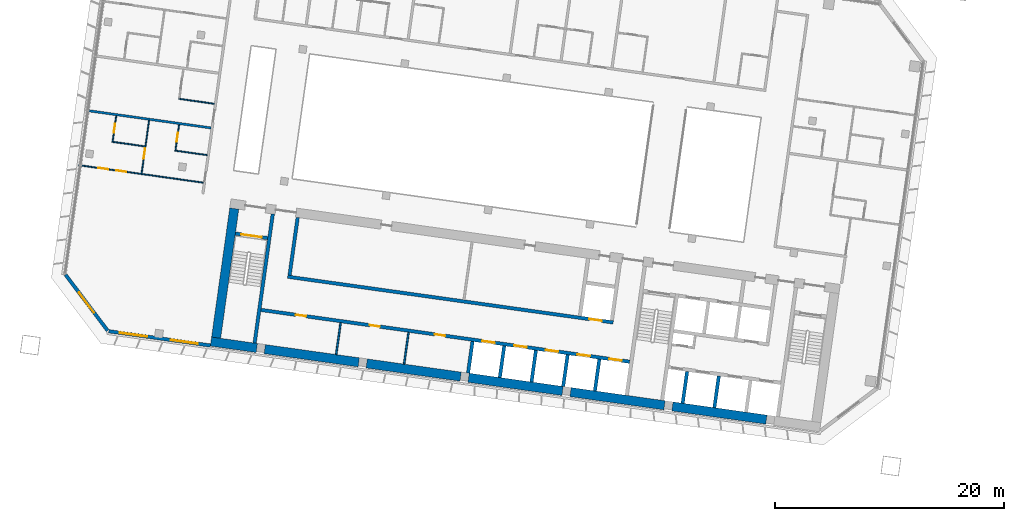
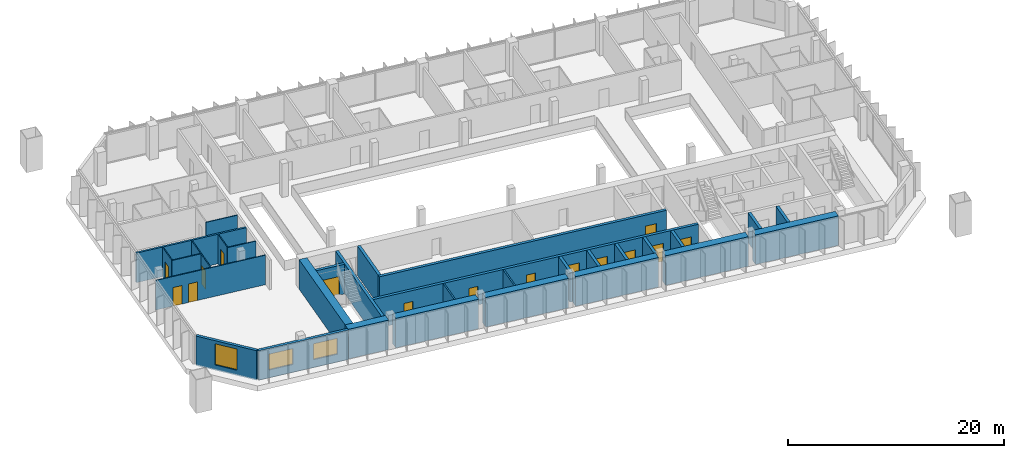
# One storey, part 14 of 26: 31 walls, 15 doors, 3 windows, 18 openings.
"""IFC4 building model written with IfcOpenShell, lengths in metres."""

from ifc_helpers import new_model, si_unit, direction, frame, frame_2d, origin, place, context, subcontext, project, spatial, rectangle, extrude, material, layer, layer_set, type_object, element, fill, save


model = new_model("IFC4")

# Units and contexts
model_context = context("Model", 3, precision=1e-05, world=origin(), true_north=direction((0.0, 1.0)))
body_context = subcontext(model_context, "Body", "Model", "MODEL_VIEW")
ifc_project = project(units=[si_unit("LENGTHUNIT", "METRE"), si_unit("AREAUNIT", "SQUARE_METRE"), si_unit("VOLUMEUNIT", "CUBIC_METRE"), si_unit("PLANEANGLEUNIT", "RADIAN"), si_unit("MASSUNIT", "GRAM", prefix="KILO")], contexts=[model_context])

# Site, building, storey
site_placement = place(None, origin())
site = spatial("IfcSite", under=ifc_project, at=site_placement, CompositionType="ELEMENT")
building_placement = place(site_placement, origin())
building = spatial("IfcBuilding", under=site, at=building_placement, Name="Mirante Cascada Hotel Towers", CompositionType="ELEMENT")
storey_placement = place(building_placement, frame((0.0, 0.0, 113.9)))
storey = spatial("IfcBuildingStorey", under=building, at=storey_placement, Name="L25", CompositionType="ELEMENT", Elevation=113.9)

# Walls
ifc_material_1 = material(Name="Fire-rated plasterboard on metal studs")
ifc_layer_1 = layer(ifc_material_1, 0.2)
ifc_layer_set_1 = layer_set([ifc_layer_1], Name="Compartment wall 200 EI 120")
wall_type_1 = type_object("IfcWallType", Name="Compartment wall 200 EI 120", PredefinedType="PARTITIONING", material=ifc_layer_set_1)
wall_1_placement = place(storey_placement, frame((-90.4064, 6.4896, 0.0), z_axis=(0.0, 0.0, 1.0), x_axis=(-0.990268, 0.1391733, 0.0)))
element("IfcWall", 1, at=wall_1_placement, inside=storey, type_object=wall_type_1, Name="Wall 1-L25-06", PredefinedType="PARTITIONING", context=body_context, shape_type="SweptSolid", body=[
    extrude(rectangle(XDim=11.0, YDim=0.2, at=frame_2d((5.5, 0.0))), origin(), (0.0, 0.0, 1.0), 3.35),
])
ifc_material_2 = material(Name="Masonry block", Category="masonry")
ifc_layer_2 = layer(ifc_material_2, 0.15)
ifc_layer_set_2 = layer_set([ifc_layer_2], Name="Core room partition 150 block EI 30")
wall_type_2 = type_object("IfcWallType", Name="Core room partition 150 block EI 30", PredefinedType="PARTITIONING", material=ifc_layer_set_2)
wall_2_placement = place(storey_placement, frame((-73.5161, -14.1621, 0.0), z_axis=(0.0, 0.0, 1.0), x_axis=(0.139176, 0.9902677, 0.0)))
element("IfcWall", 2, at=wall_2_placement, inside=storey, type_object=wall_type_2, Name="Core wall partition T1 L25 4", PredefinedType="PARTITIONING", context=body_context, shape_type="SweptSolid", body=[
    extrude(rectangle(XDim=2.8001, YDim=0.15, at=frame_2d((1.4, 0.0))), origin(), (0.0, 0.0, 1.0), 3.35),
])
wall_3_placement = place(storey_placement, frame((-79.4577, -13.327, 0.0), z_axis=(0.0, 0.0, 1.0), x_axis=(0.1391459, 0.9902719, 0.0)))
element("IfcWall", 3, at=wall_3_placement, inside=storey, type_object=wall_type_2, Name="Core wall partition T1 L25 5", PredefinedType="PARTITIONING", context=body_context, shape_type="SweptSolid", body=[
    extrude(rectangle(XDim=2.7999, YDim=0.15, at=frame_2d((1.4, 0.0))), origin(), (0.0, 0.0, 1.0), 3.35),
])

# Wall, openings, doors
ifc_material_3 = material(Name="Plasterboard on metal studs")
ifc_layer_3 = layer(ifc_material_3, 0.1)
ifc_layer_set_3 = layer_set([ifc_layer_3], Name="Partition 100")
wall_type_3 = type_object("IfcWallType", Name="Partition 100", PredefinedType="PARTITIONING", material=ifc_layer_set_3)
wall_4_placement = place(storey_placement, frame((-101.972, 3.2342, 0.0), z_axis=(0.0, 0.0, 1.0), x_axis=(0.9902682, -0.1391721, 0.0)))
wall_4 = element("IfcWall", 4, at=wall_4_placement, inside=storey, type_object=wall_type_3, Name="Wall 1-L25-01", PredefinedType="PARTITIONING", context=body_context, shape_type="SweptSolid", body=[
    extrude(rectangle(XDim=11.0001, YDim=0.1, at=frame_2d((5.5, 0.0))), origin(), (0.0, 0.0, 1.0), 3.35),
])
opening_1_placement = place(wall_4_placement, frame((3.3, 0.0, 0.0)))
opening_1 = element("IfcOpeningElement", 5, at=opening_1_placement, cuts=wall_4, Name="Opening D1-L25-01", PredefinedType="OPENING", context=body_context, shape_type="SweptSolid", body=[
    extrude(rectangle(XDim=0.9, YDim=2.1, at=frame_2d((0.45, 1.05))), frame((0.0, 0.05, 0.0), z_axis=(0.0, -1.0, 0.0), x_axis=(1.0, 0.0, 0.0)), (0.0, 0.0, 1.0), 0.1),
])
opening_2_placement = place(wall_4_placement, frame((1.725, 0.0, 0.0)))
opening_2 = element("IfcOpeningElement", 6, at=opening_2_placement, cuts=wall_4, Name="Opening D1-L25-02", PredefinedType="OPENING", context=body_context, shape_type="SweptSolid", body=[
    extrude(rectangle(XDim=0.9, YDim=2.1, at=frame_2d((0.45, 1.05))), frame((0.0, 0.05, 0.0), z_axis=(0.0, -1.0, 0.0), x_axis=(1.0, 0.0, 0.0)), (0.0, 0.0, 1.0), 0.1),
])
ifc_material_4 = material(Name="Timber door leaf", Category="wood")
door_type_1 = type_object("IfcDoorType", Name="Room door DG3 900x2100", OperationType="SINGLE_SWING_LEFT", PredefinedType="DOOR", material=ifc_material_4)
door_1_placement = place(opening_1_placement, frame((0.9, 0.0, 0.0), z_axis=(0.0, 0.0, 1.0), x_axis=(-1.0, 0.0, 0.0)))
door_1 = element("IfcDoor", 7, at=door_1_placement, inside=storey, type_object=door_type_1, Name="Door D1-L25-01", OperationType="SINGLE_SWING_RIGHT", OverallHeight=2.1, OverallWidth=0.9, PredefinedType="DOOR", context=body_context, shape_type="SweptSolid", body=[
    extrude(rectangle(XDim=0.9, YDim=2.1, at=frame_2d((0.45, 1.05))), frame((0.0, 0.025, 0.0), z_axis=(0.0, -1.0, 0.0), x_axis=(1.0, 0.0, 0.0)), (0.0, 0.0, 1.0), 0.05),
])
fill(opening_1, door_1)
door_2_placement = place(opening_2_placement, frame((0.9, 0.0, 0.0), z_axis=(0.0, 0.0, 1.0), x_axis=(-1.0, 0.0, 0.0)))
door_2 = element("IfcDoor", 8, at=door_2_placement, inside=storey, type_object=door_type_1, Name="Door D1-L25-02", OperationType="SINGLE_SWING_RIGHT", OverallHeight=2.1, OverallWidth=0.9, PredefinedType="DOOR", context=body_context, shape_type="SweptSolid", body=[
    extrude(rectangle(XDim=0.9, YDim=2.1, at=frame_2d((0.45, 1.05))), frame((0.0, 0.025, 0.0), z_axis=(0.0, -1.0, 0.0), x_axis=(1.0, 0.0, 0.0)), (0.0, 0.0, 1.0), 0.05),
])
fill(opening_2, door_2)

# Walls
wall_5_placement = place(storey_placement, frame((-93.5626, 4.5096, 0.0), z_axis=(0.0, 0.0, 1.0), x_axis=(0.9902649, -0.1391957, 0.0)))
element("IfcWall", 9, at=wall_5_placement, inside=storey, type_object=wall_type_3, Name="Wall 1-L25-03", PredefinedType="PARTITIONING", context=body_context, shape_type="SweptSolid", body=[
    extrude(rectangle(XDim=2.8499, YDim=0.1, at=frame_2d((1.425, 0.0))), origin(), (0.0, 0.0, 1.0), 3.35),
])
wall_6_placement = place(storey_placement, frame((-96.1868, 4.8784, 0.0), z_axis=(0.0, 0.0, 1.0), x_axis=(-0.9902683, 0.1391714, 0.0)))
element("IfcWall", 10, at=wall_6_placement, inside=storey, type_object=wall_type_3, Name="Wall 1-L25-04", PredefinedType="PARTITIONING", context=body_context, shape_type="SweptSolid", body=[
    extrude(rectangle(XDim=2.9, YDim=0.1, at=frame_2d((1.45, 0.0))), origin(), (0.0, 0.0, 1.0), 3.35),
])
wall_7_placement = place(storey_placement, frame((-90.1095, 8.6021, 0.0), z_axis=(0.0, 0.0, 1.0), x_axis=(-0.9902676, 0.1391765, 0.0)))
element("IfcWall", 11, at=wall_7_placement, inside=storey, type_object=wall_type_3, Name="Wall 1-L25-08", PredefinedType="PARTITIONING", context=body_context, shape_type="SweptSolid", body=[
    extrude(rectangle(XDim=3.15, YDim=0.1, at=frame_2d((1.575, 0.0))), origin(), (0.0, 0.0, 1.0), 3.35),
])

# Wall, opening, door
wall_8_placement = place(storey_placement, frame((-93.5062, 4.5521, 0.0), z_axis=(0.0, 0.0, 1.0), x_axis=(0.1391997, 0.9902643, 0.0)))
wall_8 = element("IfcWall", 12, at=wall_8_placement, inside=storey, type_object=wall_type_3, Name="Wall 1-L25-52", PredefinedType="PARTITIONING", context=body_context, shape_type="SweptSolid", body=[
    extrude(rectangle(XDim=2.25, YDim=0.1, at=frame_2d((1.125, 0.0))), origin(), (0.0, 0.0, 1.0), 3.35),
])
opening_3_placement = place(wall_8_placement, frame((0.75, 0.0, 0.0)))
opening_3 = element("IfcOpeningElement", 13, at=opening_3_placement, cuts=wall_8, Name="Opening D1-L25-33", PredefinedType="OPENING", context=body_context, shape_type="SweptSolid", body=[
    extrude(rectangle(XDim=0.8, YDim=2.1, at=frame_2d((0.4, 1.05))), frame((0.0, 0.05, 0.0), z_axis=(0.0, -1.0, 0.0), x_axis=(1.0, 0.0, 0.0)), (0.0, 0.0, 1.0), 0.1),
])
ifc_material_5 = material(Name="Timber door leaf", Category="wood")
door_type_2 = type_object("IfcDoorType", Name="Bathroom door DG4 800x2100", OperationType="SINGLE_SWING_LEFT", PredefinedType="DOOR", material=ifc_material_5)
door_3_placement = place(opening_3_placement, frame((0.8, 0.0, 0.0), z_axis=(0.0, 0.0, 1.0), x_axis=(-1.0, 0.0, 0.0)))
door_3 = element("IfcDoor", 14, at=door_3_placement, inside=storey, type_object=door_type_2, Name="Door D1-L25-33", OperationType="SINGLE_SWING_RIGHT", OverallHeight=2.1, OverallWidth=0.8, PredefinedType="DOOR", context=body_context, shape_type="SweptSolid", body=[
    extrude(rectangle(XDim=0.8, YDim=2.1, at=frame_2d((0.4, 1.05))), frame((0.0, 0.025, 0.0), z_axis=(0.0, -1.0, 0.0), x_axis=(1.0, 0.0, 0.0)), (0.0, 0.0, 1.0), 0.05),
])
fill(opening_3, door_3)

wall_9_placement = place(storey_placement, frame((-95.8172, 7.149, 0.0), z_axis=(0.0, 0.0, 1.0), x_axis=(-0.139176, -0.9902677, 0.0)))
wall_9 = element("IfcWall", 15, at=wall_9_placement, inside=storey, type_object=wall_type_3, Name="Wall 1-L25-55", PredefinedType="PARTITIONING", context=body_context, shape_type="SweptSolid", body=[
    extrude(rectangle(XDim=4.6833, YDim=0.1, at=frame_2d((2.3416, 0.0))), origin(), (0.0, 0.0, 1.0), 3.35),
])
opening_4_placement = place(wall_9_placement, frame((2.4833, 0.0, 0.0)))
opening_4 = element("IfcOpeningElement", 16, at=opening_4_placement, cuts=wall_9, Name="Opening D1-L25-36", PredefinedType="OPENING", context=body_context, shape_type="SweptSolid", body=[
    extrude(rectangle(XDim=0.9, YDim=2.1, at=frame_2d((0.45, 1.05))), frame((0.0, 0.05, 0.0), z_axis=(0.0, -1.0, 0.0), x_axis=(1.0, 0.0, 0.0)), (0.0, 0.0, 1.0), 0.1),
])
door_4_placement = place(opening_4_placement, origin())
door_4 = element("IfcDoor", 17, at=door_4_placement, inside=storey, type_object=door_type_1, Name="Door D1-L25-36", OperationType="SINGLE_SWING_LEFT", OverallHeight=2.1, OverallWidth=0.9, PredefinedType="DOOR", context=body_context, shape_type="SweptSolid", body=[
    extrude(rectangle(XDim=0.9, YDim=2.1, at=frame_2d((0.45, 1.05))), frame((0.0, 0.025, 0.0), z_axis=(0.0, -1.0, 0.0), x_axis=(1.0, 0.0, 0.0)), (0.0, 0.0, 1.0), 0.05),
])
fill(opening_4, door_4)

wall_10_placement = place(storey_placement, frame((-98.689, 7.5526, 0.0), z_axis=(0.0, 0.0, 1.0), x_axis=(-0.1391561, -0.9902705, 0.0)))
wall_10 = element("IfcWall", 18, at=wall_10_placement, inside=storey, type_object=wall_type_3, Name="Wall 1-L25-57", PredefinedType="PARTITIONING", context=body_context, shape_type="SweptSolid", body=[
    extrude(rectangle(XDim=2.25, YDim=0.1, at=frame_2d((1.125, 0.0))), origin(), (0.0, 0.0, 1.0), 3.35),
])
opening_5_placement = place(wall_10_placement, frame((0.7, 0.0, 0.0)))
opening_5 = element("IfcOpeningElement", 19, at=opening_5_placement, cuts=wall_10, Name="Opening D1-L25-37", PredefinedType="OPENING", context=body_context, shape_type="SweptSolid", body=[
    extrude(rectangle(XDim=0.8, YDim=2.1, at=frame_2d((0.4, 1.05))), frame((0.0, 0.05, 0.0), z_axis=(0.0, -1.0, 0.0), x_axis=(1.0, 0.0, 0.0)), (0.0, 0.0, 1.0), 0.1),
])
door_5_placement = place(opening_5_placement, origin())
door_5 = element("IfcDoor", 20, at=door_5_placement, inside=storey, type_object=door_type_2, Name="Door D1-L25-37", OperationType="SINGLE_SWING_LEFT", OverallHeight=2.1, OverallWidth=0.8, PredefinedType="DOOR", context=body_context, shape_type="SweptSolid", body=[
    extrude(rectangle(XDim=0.8, YDim=2.1, at=frame_2d((0.4, 1.05))), frame((0.0, 0.025, 0.0), z_axis=(0.0, -1.0, 0.0), x_axis=(1.0, 0.0, 0.0)), (0.0, 0.0, 1.0), 0.05),
])
fill(opening_5, door_5)

# Wall, openings, windows
ifc_material_6 = material(Name="Precast concrete C40/50", Category="concrete")
ifc_layer_4 = layer(ifc_material_6, 0.3)
ifc_layer_set_4 = layer_set([ifc_layer_4], Name="Precast concrete C40/50 cladding wall 300")
wall_type_4 = type_object("IfcWallType", Name="Precast concrete C40/50 cladding wall 300", PredefinedType="STANDARD", material=ifc_layer_set_4)
wall_11_placement = place(storey_placement, frame((-90.4551, -12.5388, 0.0), z_axis=(0.0, 0.0, 1.0), x_axis=(-0.9902678, 0.1391749, 0.0)))
wall_11 = element("IfcWall", 21, at=wall_11_placement, inside=storey, type_object=wall_type_4, Name="Rear cladding wall T1 L25 1", PredefinedType="STANDARD", context=body_context, shape_type="SweptSolid", body=[
    extrude(rectangle(XDim=8.9758, YDim=0.3, at=frame_2d((4.4879, 0.0))), origin(), (0.0, 0.0, 1.0), 3.35),
])
opening_6_placement = place(wall_11_placement, frame((1.1012, 0.0, 0.9)))
opening_6 = element("IfcOpeningElement", 22, at=opening_6_placement, cuts=wall_11, Name="Opening W1-25-01", PredefinedType="OPENING", context=body_context, shape_type="SweptSolid", body=[
    extrude(rectangle(XDim=2.4, YDim=1.8, at=frame_2d((1.2, 0.9))), frame((0.0, 0.15, 0.0), z_axis=(0.0, -1.0, 0.0), x_axis=(1.0, 0.0, 0.0)), (0.0, 0.0, 1.0), 0.3),
])
opening_7_placement = place(wall_11_placement, frame((5.5923, 0.0, 0.9)))
opening_7 = element("IfcOpeningElement", 23, at=opening_7_placement, cuts=wall_11, Name="Opening W1-25-02", PredefinedType="OPENING", context=body_context, shape_type="SweptSolid", body=[
    extrude(rectangle(XDim=2.4, YDim=1.8, at=frame_2d((1.2, 0.9))), frame((0.0, 0.15, 0.0), z_axis=(0.0, -1.0, 0.0), x_axis=(1.0, 0.0, 0.0)), (0.0, 0.0, 1.0), 0.3),
])
ifc_material_7 = material(Name="Aluminium frame with clear double glazing", Category="aluminium")
window_type_1 = type_object("IfcWindowType", Name="Punched window 2400x1800", PartitioningType="DOUBLE_PANEL_VERTICAL", PredefinedType="WINDOW", material=ifc_material_7)
window_1_placement = place(opening_6_placement, origin())
window_1 = element("IfcWindow", 24, at=window_1_placement, inside=storey, type_object=window_type_1, Name="Window W1-25-01", OverallHeight=1.8, OverallWidth=2.4, PartitioningType="SINGLE_PANEL", PredefinedType="WINDOW", context=body_context, shape_type="SweptSolid", body=[
    extrude(rectangle(XDim=2.4, YDim=1.8, at=frame_2d((1.2, 0.9))), frame((0.0, 0.03, 0.0), z_axis=(0.0, -1.0, 0.0), x_axis=(1.0, 0.0, 0.0)), (0.0, 0.0, 1.0), 0.06),
])
fill(opening_6, window_1)
window_2_placement = place(opening_7_placement, origin())
window_2 = element("IfcWindow", 25, at=window_2_placement, inside=storey, type_object=window_type_1, Name="Window W1-25-02", OverallHeight=1.8, OverallWidth=2.4, PartitioningType="SINGLE_PANEL", PredefinedType="WINDOW", context=body_context, shape_type="SweptSolid", body=[
    extrude(rectangle(XDim=2.4, YDim=1.8, at=frame_2d((1.2, 0.9))), frame((0.0, 0.03, 0.0), z_axis=(0.0, -1.0, 0.0), x_axis=(1.0, 0.0, 0.0)), (0.0, 0.0, 1.0), 0.06),
])
fill(opening_7, window_2)

# Wall, opening, window
wall_12_placement = place(storey_placement, frame((-99.4424, -11.2313, 0.0), z_axis=(0.0, 0.0, 1.0), x_axis=(-0.6018194, 0.7986322, 0.0)))
wall_12 = element("IfcWall", 26, at=wall_12_placement, inside=storey, type_object=wall_type_4, Name="Corner cladding wall T1 L25 rear outer", PredefinedType="STANDARD", context=body_context, shape_type="SweptSolid", body=[
    extrude(rectangle(XDim=6.1155, YDim=0.3, at=frame_2d((3.0578, 0.0))), origin(), (0.0, 0.0, 1.0), 3.35),
])
opening_8_placement = place(wall_12_placement, frame((1.9576, 0.0, 0.6)))
opening_8 = element("IfcOpeningElement", 27, at=opening_8_placement, cuts=wall_12, Name="Opening W1-25-03", PredefinedType="OPENING", context=body_context, shape_type="SweptSolid", body=[
    extrude(rectangle(XDim=2.2, YDim=2.4, at=frame_2d((1.1, 1.2))), frame((0.0, 0.15, 0.0), z_axis=(0.0, -1.0, 0.0), x_axis=(1.0, 0.0, 0.0)), (0.0, 0.0, 1.0), 0.3),
])
ifc_material_8 = material(Name="Aluminium frame with clear double glazing", Category="aluminium")
window_type_2 = type_object("IfcWindowType", Name="Corner suite window 2200x2400", PartitioningType="DOUBLE_PANEL_VERTICAL", PredefinedType="WINDOW", material=ifc_material_8)
window_3_placement = place(opening_8_placement, origin())
window_3 = element("IfcWindow", 28, at=window_3_placement, inside=storey, type_object=window_type_2, Name="Window W1-25-03", OverallHeight=2.4, OverallWidth=2.2, PartitioningType="SINGLE_PANEL", PredefinedType="WINDOW", context=body_context, shape_type="SweptSolid", body=[
    extrude(rectangle(XDim=2.2, YDim=2.4, at=frame_2d((1.1, 1.2))), frame((0.0, 0.03, 0.0), z_axis=(0.0, -1.0, 0.0), x_axis=(1.0, 0.0, 0.0)), (0.0, 0.0, 1.0), 0.06),
])
fill(opening_8, window_3)

# Wall
ifc_material_9 = material(Name="Concrete C50/60", Category="concrete")
ifc_layer_5 = layer(ifc_material_9, 0.3)
ifc_layer_set_5 = layer_set([ifc_layer_5], Name="RC core wall 300 C50/60")
wall_type_5 = type_object("IfcWallType", Name="RC core wall 300 C50/60", PredefinedType="SHEAR", material=ifc_layer_set_5)
wall_13_placement = place(storey_placement, frame((-86.5877, -12.325, 0.0), z_axis=(0.0, 0.0, 1.0), x_axis=(0.1391749, 0.9902678, 0.0)))
element("IfcWall", 29, at=wall_13_placement, inside=storey, type_object=wall_type_5, Name="Core wall T1:L25:8", PredefinedType="SHEAR", context=body_context, shape_type="SweptSolid", body=[
    extrude(rectangle(XDim=11.4, YDim=0.3, at=frame_2d((5.7, 0.0))), origin(), (0.0, 0.0, 1.0), 3.35),
])

# Wall, opening, door
wall_14_placement = place(storey_placement, frame((-85.4489, -3.1441, 0.0), z_axis=(0.0, 0.0, 1.0), x_axis=(-0.9902697, 0.1391613, 0.0)))
wall_14 = element("IfcWall", 30, at=wall_14_placement, inside=storey, type_object=wall_type_5, Name="Core wall T1:L25:11", PredefinedType="SHEAR", context=body_context, shape_type="SweptSolid", body=[
    extrude(rectangle(XDim=2.8499, YDim=0.3, at=frame_2d((1.425, 0.0))), origin(), (0.0, 0.0, 1.0), 3.35),
])
opening_9_placement = place(wall_14_placement, frame((0.525, 0.0, 0.0)))
opening_9 = element("IfcOpeningElement", 31, at=opening_9_placement, cuts=wall_14, Name="Opening D1-25-C17", PredefinedType="OPENING", context=body_context, shape_type="SweptSolid", body=[
    extrude(rectangle(XDim=1.8, YDim=2.1, at=frame_2d((0.9, 1.05))), frame((0.0, 0.15, 0.0), z_axis=(0.0, -1.0, 0.0), x_axis=(1.0, 0.0, 0.0)), (0.0, 0.0, 1.0), 0.3),
])
ifc_material_10 = material(Name="Hollow metal fire door leaf")
door_type_3 = type_object("IfcDoorType", Name="Double fire door 1800x2100 FD60", OperationType="DOUBLE_DOOR_SINGLE_SWING", PredefinedType="DOOR", material=ifc_material_10)
door_6_placement = place(opening_9_placement, origin())
door_6 = element("IfcDoor", 32, at=door_6_placement, inside=storey, type_object=door_type_3, Name="Stair door T1 L25 17", OperationType="DOUBLE_DOOR_SINGLE_SWING", OverallHeight=2.1, OverallWidth=1.8, PredefinedType="DOOR", context=body_context, shape_type="SweptSolid", body=[
    extrude(rectangle(XDim=0.895, YDim=2.1, at=frame_2d((0.4475, 1.05))), frame((0.0, 0.025, 0.0), z_axis=(0.0, -1.0, 0.0), x_axis=(1.0, 0.0, 0.0)), (0.0, 0.0, 1.0), 0.05),
    extrude(rectangle(XDim=0.895, YDim=2.1, at=frame_2d((1.3525, 1.05))), frame((0.0, 0.025, 0.0), z_axis=(0.0, -1.0, 0.0), x_axis=(1.0, 0.0, 0.0)), (0.0, 0.0, 1.0), 0.05),
])
fill(opening_9, door_6)

# Walls
wall_15_placement = place(storey_placement, frame((-46.3828, -17.9754, 0.0), z_axis=(0.0, 0.0, 1.0), x_axis=(0.139181, 0.990267, 0.0)))
element("IfcWall", 33, at=wall_15_placement, inside=storey, type_object=wall_type_5, Name="Core wall T1:L25:16", PredefinedType="SHEAR", context=body_context, shape_type="SweptSolid", body=[
    extrude(rectangle(XDim=2.8, YDim=0.3, at=frame_2d((1.4, 0.0))), origin(), (0.0, 0.0, 1.0), 3.35),
])
wall_16_placement = place(storey_placement, frame((-49.1555, -17.5857, 0.0), z_axis=(0.0, 0.0, 1.0), x_axis=(0.1391459, 0.9902719, 0.0)))
element("IfcWall", 34, at=wall_16_placement, inside=storey, type_object=wall_type_5, Name="Core wall T1:L25:17", PredefinedType="SHEAR", context=body_context, shape_type="SweptSolid", body=[
    extrude(rectangle(XDim=2.7999, YDim=0.3, at=frame_2d((1.4, 0.0))), origin(), (0.0, 0.0, 1.0), 3.35),
])

# Wall, openings, doors
wall_17_placement = place(storey_placement, frame((-53.7953, -13.9547, 0.0), z_axis=(0.0, 0.0, 1.0), x_axis=(-0.990268, 0.1391733, 0.0)))
wall_17 = element("IfcWall", 35, at=wall_17_placement, inside=storey, type_object=wall_type_5, Name="Core wall T1:L25:24", PredefinedType="SHEAR", context=body_context, shape_type="SweptSolid", body=[
    extrude(rectangle(XDim=32.5501, YDim=0.3, at=frame_2d((16.275, 0.0))), origin(), (0.0, 0.0, 1.0), 3.35),
])
opening_10_placement = place(wall_17_placement, frame((0.7, 0.0, 0.0)))
opening_10 = element("IfcOpeningElement", 36, at=opening_10_placement, cuts=wall_17, Name="Opening LD", PredefinedType="OPENING", context=body_context, shape_type="SweptSolid", body=[
    extrude(rectangle(XDim=1.1, YDim=2.1, at=frame_2d((0.55, 1.05))), frame((0.0, 0.15, 0.0), z_axis=(0.0, -1.0, 0.0), x_axis=(1.0, 0.0, 0.0)), (0.0, 0.0, 1.0), 0.3),
])
opening_11_placement = place(wall_17_placement, frame((3.5, 0.0, 0.0)))
opening_11 = element("IfcOpeningElement", 37, at=opening_11_placement, cuts=wall_17, Name="Opening LD", PredefinedType="OPENING", context=body_context, shape_type="SweptSolid", body=[
    extrude(rectangle(XDim=1.1, YDim=2.1, at=frame_2d((0.55, 1.05))), frame((0.0, 0.15, 0.0), z_axis=(0.0, -1.0, 0.0), x_axis=(1.0, 0.0, 0.0)), (0.0, 0.0, 1.0), 0.3),
])
opening_12_placement = place(wall_17_placement, frame((6.3, 0.0, 0.0)))
opening_12 = element("IfcOpeningElement", 38, at=opening_12_placement, cuts=wall_17, Name="Opening LD", PredefinedType="OPENING", context=body_context, shape_type="SweptSolid", body=[
    extrude(rectangle(XDim=1.1, YDim=2.1, at=frame_2d((0.55, 1.05))), frame((0.0, 0.15, 0.0), z_axis=(0.0, -1.0, 0.0), x_axis=(1.0, 0.0, 0.0)), (0.0, 0.0, 1.0), 0.3),
])
opening_13_placement = place(wall_17_placement, frame((9.1, 0.0, 0.0)))
opening_13 = element("IfcOpeningElement", 39, at=opening_13_placement, cuts=wall_17, Name="Opening LD", PredefinedType="OPENING", context=body_context, shape_type="SweptSolid", body=[
    extrude(rectangle(XDim=1.1, YDim=2.1, at=frame_2d((0.55, 1.05))), frame((0.0, 0.15, 0.0), z_axis=(0.0, -1.0, 0.0), x_axis=(1.0, 0.0, 0.0)), (0.0, 0.0, 1.0), 0.3),
])
opening_14_placement = place(wall_17_placement, frame((11.9, 0.0, 0.0)))
opening_14 = element("IfcOpeningElement", 40, at=opening_14_placement, cuts=wall_17, Name="Opening LD", PredefinedType="OPENING", context=body_context, shape_type="SweptSolid", body=[
    extrude(rectangle(XDim=1.1, YDim=2.1, at=frame_2d((0.55, 1.05))), frame((0.0, 0.15, 0.0), z_axis=(0.0, -1.0, 0.0), x_axis=(1.0, 0.0, 0.0)), (0.0, 0.0, 1.0), 0.3),
])
opening_15_placement = place(wall_17_placement, frame((16.3, 0.0, 0.0)))
opening_15 = element("IfcOpeningElement", 41, at=opening_15_placement, cuts=wall_17, Name="Opening D1-25-C25", PredefinedType="OPENING", context=body_context, shape_type="SweptSolid", body=[
    extrude(rectangle(XDim=0.9, YDim=2.1, at=frame_2d((0.45, 1.05))), frame((0.0, 0.15, 0.0), z_axis=(0.0, -1.0, 0.0), x_axis=(1.0, 0.0, 0.0)), (0.0, 0.0, 1.0), 0.3),
])
opening_16_placement = place(wall_17_placement, frame((22.05, 0.0, 0.0)))
opening_16 = element("IfcOpeningElement", 42, at=opening_16_placement, cuts=wall_17, Name="Opening D1-25-C26", PredefinedType="OPENING", context=body_context, shape_type="SweptSolid", body=[
    extrude(rectangle(XDim=0.9, YDim=2.1, at=frame_2d((0.45, 1.05))), frame((0.0, 0.15, 0.0), z_axis=(0.0, -1.0, 0.0), x_axis=(1.0, 0.0, 0.0)), (0.0, 0.0, 1.0), 0.3),
])
opening_17_placement = place(wall_17_placement, frame((28.575, 0.0, 0.0)))
opening_17 = element("IfcOpeningElement", 43, at=opening_17_placement, cuts=wall_17, Name="Opening D1-25-C27", PredefinedType="OPENING", context=body_context, shape_type="SweptSolid", body=[
    extrude(rectangle(XDim=0.9, YDim=2.1, at=frame_2d((0.45, 1.05))), frame((0.0, 0.15, 0.0), z_axis=(0.0, -1.0, 0.0), x_axis=(1.0, 0.0, 0.0)), (0.0, 0.0, 1.0), 0.3),
])
ifc_material_11 = material(Name="Hollow metal fire door leaf")
door_type_4 = type_object("IfcDoorType", Name="Fire door 900x2100 FD60", OperationType="NOTDEFINED", PredefinedType="DOOR", material=ifc_material_11)
door_7_placement = place(opening_15_placement, origin())
door_7 = element("IfcDoor", 44, at=door_7_placement, inside=storey, type_object=door_type_4, Name="Room door T1 L25 25", OperationType="SINGLE_SWING_LEFT", OverallHeight=2.1, OverallWidth=0.9, PredefinedType="DOOR", context=body_context, shape_type="SweptSolid", body=[
    extrude(rectangle(XDim=0.9, YDim=2.1, at=frame_2d((0.45, 1.05))), frame((0.0, 0.025, 0.0), z_axis=(0.0, -1.0, 0.0), x_axis=(1.0, 0.0, 0.0)), (0.0, 0.0, 1.0), 0.05),
])
fill(opening_15, door_7)
door_8_placement = place(opening_16_placement, origin())
door_8 = element("IfcDoor", 45, at=door_8_placement, inside=storey, type_object=door_type_4, Name="Room door T1 L25 26", OperationType="SINGLE_SWING_LEFT", OverallHeight=2.1, OverallWidth=0.9, PredefinedType="DOOR", context=body_context, shape_type="SweptSolid", body=[
    extrude(rectangle(XDim=0.9, YDim=2.1, at=frame_2d((0.45, 1.05))), frame((0.0, 0.025, 0.0), z_axis=(0.0, -1.0, 0.0), x_axis=(1.0, 0.0, 0.0)), (0.0, 0.0, 1.0), 0.05),
])
fill(opening_16, door_8)
door_9_placement = place(opening_17_placement, origin())
door_9 = element("IfcDoor", 46, at=door_9_placement, inside=storey, type_object=door_type_4, Name="Room door T1 L25 27", OperationType="SINGLE_SWING_LEFT", OverallHeight=2.1, OverallWidth=0.9, PredefinedType="DOOR", context=body_context, shape_type="SweptSolid", body=[
    extrude(rectangle(XDim=0.9, YDim=2.1, at=frame_2d((0.45, 1.05))), frame((0.0, 0.025, 0.0), z_axis=(0.0, -1.0, 0.0), x_axis=(1.0, 0.0, 0.0)), (0.0, 0.0, 1.0), 0.05),
])
fill(opening_17, door_9)
ifc_material_12 = material(Name="Stainless steel", Category="steel")
door_type_5 = type_object("IfcDoorType", Name="Lift landing door 1100x2100 EI 120", OperationType="DOUBLE_DOOR_SLIDING", PredefinedType="DOOR", material=ifc_material_12)
door_10_placement = place(opening_10_placement, origin())
door_10 = element("IfcDoor", 47, at=door_10_placement, inside=storey, type_object=door_type_5, Name="Lift landing door LR1-1 L25", OperationType="DOUBLE_DOOR_SLIDING", OverallHeight=2.1, OverallWidth=1.1, PredefinedType="DOOR", context=body_context, shape_type="SweptSolid", body=[
    extrude(rectangle(XDim=0.545, YDim=2.1, at=frame_2d((0.2725, 1.05))), frame((0.0, 0.025, 0.0), z_axis=(0.0, -1.0, 0.0), x_axis=(1.0, 0.0, 0.0)), (0.0, 0.0, 1.0), 0.05),
    extrude(rectangle(XDim=0.545, YDim=2.1, at=frame_2d((0.8275, 1.05))), frame((0.0, 0.025, 0.0), z_axis=(0.0, -1.0, 0.0), x_axis=(1.0, 0.0, 0.0)), (0.0, 0.0, 1.0), 0.05),
])
fill(opening_10, door_10)
door_11_placement = place(opening_11_placement, origin())
door_11 = element("IfcDoor", 48, at=door_11_placement, inside=storey, type_object=door_type_5, Name="Lift landing door LR1-2 L25", OperationType="DOUBLE_DOOR_SLIDING", OverallHeight=2.1, OverallWidth=1.1, PredefinedType="DOOR", context=body_context, shape_type="SweptSolid", body=[
    extrude(rectangle(XDim=0.545, YDim=2.1, at=frame_2d((0.2725, 1.05))), frame((0.0, 0.025, 0.0), z_axis=(0.0, -1.0, 0.0), x_axis=(1.0, 0.0, 0.0)), (0.0, 0.0, 1.0), 0.05),
    extrude(rectangle(XDim=0.545, YDim=2.1, at=frame_2d((0.8275, 1.05))), frame((0.0, 0.025, 0.0), z_axis=(0.0, -1.0, 0.0), x_axis=(1.0, 0.0, 0.0)), (0.0, 0.0, 1.0), 0.05),
])
fill(opening_11, door_11)
door_12_placement = place(opening_12_placement, origin())
door_12 = element("IfcDoor", 49, at=door_12_placement, inside=storey, type_object=door_type_5, Name="Lift landing door SV1-1 L25", OperationType="DOUBLE_DOOR_SLIDING", OverallHeight=2.1, OverallWidth=1.1, PredefinedType="DOOR", context=body_context, shape_type="SweptSolid", body=[
    extrude(rectangle(XDim=0.545, YDim=2.1, at=frame_2d((0.2725, 1.05))), frame((0.0, 0.025, 0.0), z_axis=(0.0, -1.0, 0.0), x_axis=(1.0, 0.0, 0.0)), (0.0, 0.0, 1.0), 0.05),
    extrude(rectangle(XDim=0.545, YDim=2.1, at=frame_2d((0.8275, 1.05))), frame((0.0, 0.025, 0.0), z_axis=(0.0, -1.0, 0.0), x_axis=(1.0, 0.0, 0.0)), (0.0, 0.0, 1.0), 0.05),
])
fill(opening_12, door_12)
door_13_placement = place(opening_13_placement, origin())
door_13 = element("IfcDoor", 50, at=door_13_placement, inside=storey, type_object=door_type_5, Name="Lift landing door SV1-2 L25", OperationType="DOUBLE_DOOR_SLIDING", OverallHeight=2.1, OverallWidth=1.1, PredefinedType="DOOR", context=body_context, shape_type="SweptSolid", body=[
    extrude(rectangle(XDim=0.545, YDim=2.1, at=frame_2d((0.2725, 1.05))), frame((0.0, 0.025, 0.0), z_axis=(0.0, -1.0, 0.0), x_axis=(1.0, 0.0, 0.0)), (0.0, 0.0, 1.0), 0.05),
    extrude(rectangle(XDim=0.545, YDim=2.1, at=frame_2d((0.8275, 1.05))), frame((0.0, 0.025, 0.0), z_axis=(0.0, -1.0, 0.0), x_axis=(1.0, 0.0, 0.0)), (0.0, 0.0, 1.0), 0.05),
])
fill(opening_13, door_13)
door_14_placement = place(opening_14_placement, origin())
door_14 = element("IfcDoor", 51, at=door_14_placement, inside=storey, type_object=door_type_5, Name="Lift landing door SV1-3 L25", OperationType="DOUBLE_DOOR_SLIDING", OverallHeight=2.1, OverallWidth=1.1, PredefinedType="DOOR", context=body_context, shape_type="SweptSolid", body=[
    extrude(rectangle(XDim=0.545, YDim=2.1, at=frame_2d((0.2725, 1.05))), frame((0.0, 0.025, 0.0), z_axis=(0.0, -1.0, 0.0), x_axis=(1.0, 0.0, 0.0)), (0.0, 0.0, 1.0), 0.05),
    extrude(rectangle(XDim=0.545, YDim=2.1, at=frame_2d((0.8275, 1.05))), frame((0.0, 0.025, 0.0), z_axis=(0.0, -1.0, 0.0), x_axis=(1.0, 0.0, 0.0)), (0.0, 0.0, 1.0), 0.05),
])
fill(opening_14, door_14)

# Walls
for number, where, z_axis, x_axis, name in (
    (52, (-56.8301, -16.5072, 0.0), (0.0, 0.0, 1.0), (0.139176, 0.9902677, 0.0), "Core wall T1:L25:25"),
    (53, (-59.6029, -16.1175, 0.0), (0.0, 0.0, 1.0), (0.139176, 0.9902677, 0.0), "Core wall T1:L25:26"),
    (54, (-62.3756, -15.7278, 0.0), (0.0, 0.0, 1.0), (0.139176, 0.9902677, 0.0), "Core wall T1:L25:27"),
    (55, (-65.1484, -15.3381, 0.0), (0.0, 0.0, 1.0), (0.139176, 0.9902677, 0.0), "Core wall T1:L25:28"),
):
    element("IfcWall", number, at=place(storey_placement, frame(where, z_axis=z_axis, x_axis=x_axis)), inside=storey, type_object=wall_type_5, Name=name, PredefinedType="SHEAR", context=body_context, shape_type="SweptSolid", body=[
        extrude(rectangle(XDim=2.8001, YDim=0.3, at=frame_2d((1.4, 0.0))), origin(), (0.0, 0.0, 1.0), 3.35),
    ])
wall_18_placement = place(storey_placement, frame((-67.9211, -14.9484, 0.0), z_axis=(0.0, 0.0, 1.0), x_axis=(0.139181, 0.990267, 0.0)))
element("IfcWall", 56, at=wall_18_placement, inside=storey, type_object=wall_type_5, Name="Core wall T1:L25:29", PredefinedType="SHEAR", context=body_context, shape_type="SweptSolid", body=[
    extrude(rectangle(XDim=2.8, YDim=0.3, at=frame_2d((1.4, 0.0))), origin(), (0.0, 0.0, 1.0), 3.35),
])

# Wall, opening, door
wall_19_placement = place(storey_placement, frame((-55.2315, -10.5214, 0.0), z_axis=(0.0, 0.0, 1.0), x_axis=(-0.9902682, 0.1391722, 0.0)))
wall_19 = element("IfcWall", 57, at=wall_19_placement, inside=storey, type_object=wall_type_5, Name="Core wall T1:L25:32", PredefinedType="SHEAR", context=body_context, shape_type="SweptSolid", body=[
    extrude(rectangle(XDim=28.75, YDim=0.3, at=frame_2d((14.375, 0.0))), origin(), (0.0, 0.0, 1.0), 3.35),
])
opening_18_placement = place(wall_19_placement, frame((1.0, 0.0, 0.0)))
opening_18 = element("IfcOpeningElement", 58, at=opening_18_placement, cuts=wall_19, Name="Opening LD", PredefinedType="OPENING", context=body_context, shape_type="SweptSolid", body=[
    extrude(rectangle(XDim=1.1, YDim=2.1, at=frame_2d((0.55, 1.05))), frame((0.0, 0.15, 0.0), z_axis=(0.0, -1.0, 0.0), x_axis=(1.0, 0.0, 0.0)), (0.0, 0.0, 1.0), 0.3),
])
door_15_placement = place(opening_18_placement, origin())
door_15 = element("IfcDoor", 59, at=door_15_placement, inside=storey, type_object=door_type_5, Name="Lift landing door LR1-3 L25", OperationType="DOUBLE_DOOR_SLIDING", OverallHeight=2.1, OverallWidth=1.1, PredefinedType="DOOR", context=body_context, shape_type="SweptSolid", body=[
    extrude(rectangle(XDim=0.545, YDim=2.1, at=frame_2d((0.2725, 1.05))), frame((0.0, 0.025, 0.0), z_axis=(0.0, -1.0, 0.0), x_axis=(1.0, 0.0, 0.0)), (0.0, 0.0, 1.0), 0.05),
    extrude(rectangle(XDim=0.545, YDim=2.1, at=frame_2d((0.8275, 1.05))), frame((0.0, 0.025, 0.0), z_axis=(0.0, -1.0, 0.0), x_axis=(1.0, 0.0, 0.0)), (0.0, 0.0, 1.0), 0.05),
])
fill(opening_18, door_15)

# Walls
wall_20_placement = place(storey_placement, frame((-83.5323, -6.3925, 0.0), z_axis=(0.0, 0.0, 1.0), x_axis=(0.1391755, 0.9902677, 0.0)))
element("IfcWall", 60, at=wall_20_placement, inside=storey, type_object=wall_type_5, Name="Core wall T1:L25:34", PredefinedType="SHEAR", context=body_context, shape_type="SweptSolid", body=[
    extrude(rectangle(XDim=5.1, YDim=0.3, at=frame_2d((2.55, 0.0))), origin(), (0.0, 0.0, 1.0), 3.35),
])
ifc_material_13 = material(Name="Concrete C50/60", Category="concrete")
ifc_layer_6 = layer(ifc_material_13, 0.8)
ifc_layer_set_6 = layer_set([ifc_layer_6], Name="RC core wall 800 C50/60")
wall_type_6 = type_object("IfcWallType", Name="RC core wall 800 C50/60", PredefinedType="SHEAR", material=ifc_layer_set_6)
for number, where, z_axis, x_axis, name in (
    (61, (-41.8337, -19.0187, 0.0), (0.0, 0.0, 1.0), (-0.9902686, 0.1391692, 0.0), "Core wall T1:L25:1.2"),
    (62, (-50.7461, -17.7661, 0.0), (0.0, 0.0, 1.0), (-0.9902686, 0.1391692, 0.0), "Core wall T1:L25:1.3"),
):
    element("IfcWall", number, at=place(storey_placement, frame(where, z_axis=z_axis, x_axis=x_axis)), inside=storey, type_object=wall_type_6, Name=name, PredefinedType="SHEAR", context=body_context, shape_type="SweptSolid", body=[
        extrude(rectangle(XDim=8.3, YDim=0.8, at=frame_2d((4.15, 0.0))), origin(), (0.0, 0.0, 1.0), 3.35),
    ])
for number, where, z_axis, x_axis, name in (
    (63, (-59.6585, -16.5136, 0.0), (0.0, 0.0, 1.0), (-0.9902672, 0.1391793, 0.0), "Core wall T1:L25:1.4"),
    (64, (-68.5709, -15.261, 0.0), (0.0, 0.0, 1.0), (-0.9902689, 0.1391675, 0.0), "Core wall T1:L25:1.5"),
):
    element("IfcWall", number, at=place(storey_placement, frame(where, z_axis=z_axis, x_axis=x_axis)), inside=storey, type_object=wall_type_6, Name=name, PredefinedType="SHEAR", context=body_context, shape_type="SweptSolid", body=[
        extrude(rectangle(XDim=8.3001, YDim=0.8, at=frame_2d((4.15, 0.0))), origin(), (0.0, 0.0, 1.0), 3.35),
    ])
wall_21_placement = place(storey_placement, frame((-77.4834, -14.0085, 0.0), z_axis=(0.0, 0.0, 1.0), x_axis=(-0.990267, 0.139181, 0.0)))
element("IfcWall", 65, at=wall_21_placement, inside=storey, type_object=wall_type_6, Name="Core wall T1:L25:1.6", PredefinedType="SHEAR", context=body_context, shape_type="SweptSolid", body=[
    extrude(rectangle(XDim=8.3, YDim=0.8, at=frame_2d((4.15, 0.0))), origin(), (0.0, 0.0, 1.0), 3.35),
])
wall_22_placement = place(storey_placement, frame((-86.3958, -12.7559, 0.0), z_axis=(0.0, 0.0, 1.0), x_axis=(-0.9902665, 0.1391845, 0.0)))
element("IfcWall", 66, at=wall_22_placement, inside=storey, type_object=wall_type_6, Name="Core wall T1:L25:1.7", PredefinedType="SHEAR", context=body_context, shape_type="SweptSolid", body=[
    extrude(rectangle(XDim=4.05, YDim=0.8, at=frame_2d((2.025, 0.0))), origin(), (0.0, 0.0, 1.0), 3.35),
])
wall_23_placement = place(storey_placement, frame((-89.9546, -11.8518, 0.0), z_axis=(0.0, 0.0, 1.0), x_axis=(0.1391761, 0.9902677, 0.0)))
element("IfcWall", 67, at=wall_23_placement, inside=storey, type_object=wall_type_6, Name="Core wall T1:L25:4", PredefinedType="SHEAR", context=body_context, shape_type="SweptSolid", body=[
    extrude(rectangle(XDim=11.3999, YDim=0.8, at=frame_2d((5.7, 0.0))), origin(), (0.0, 0.0, 1.0), 3.35),
])

save(model, "model.ifc")
